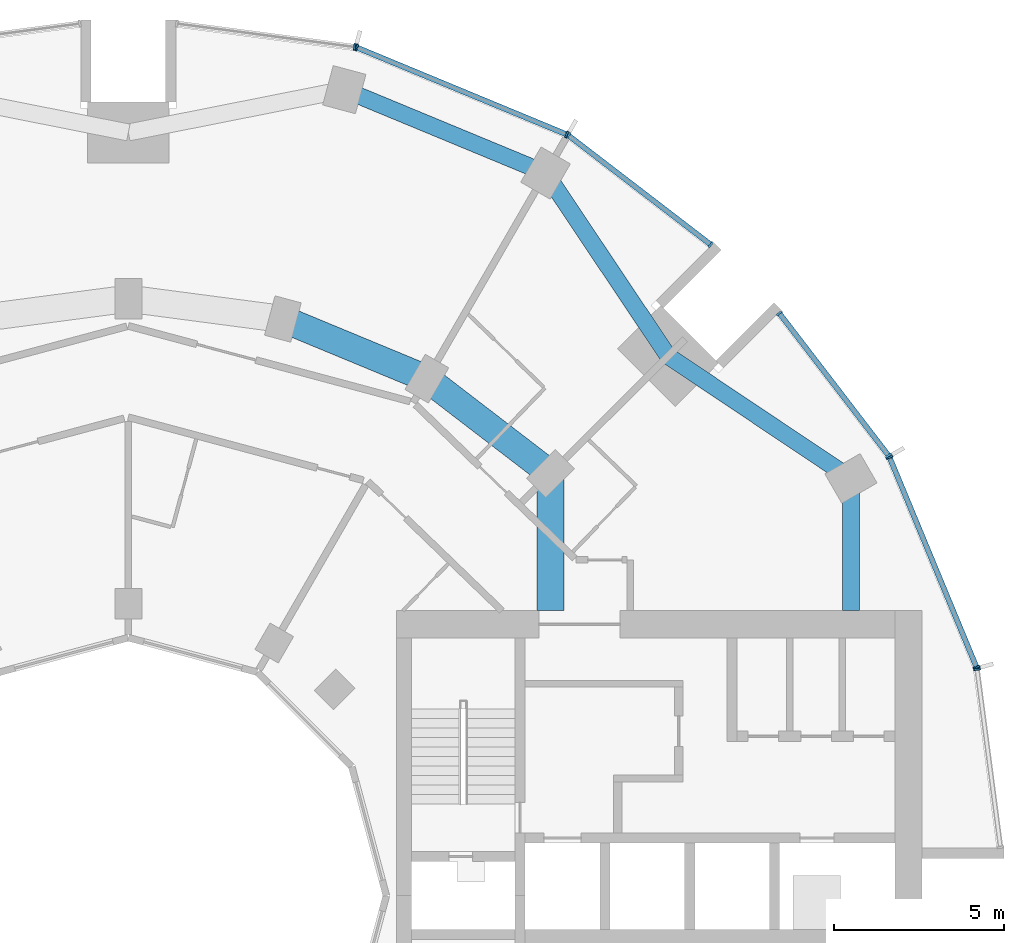
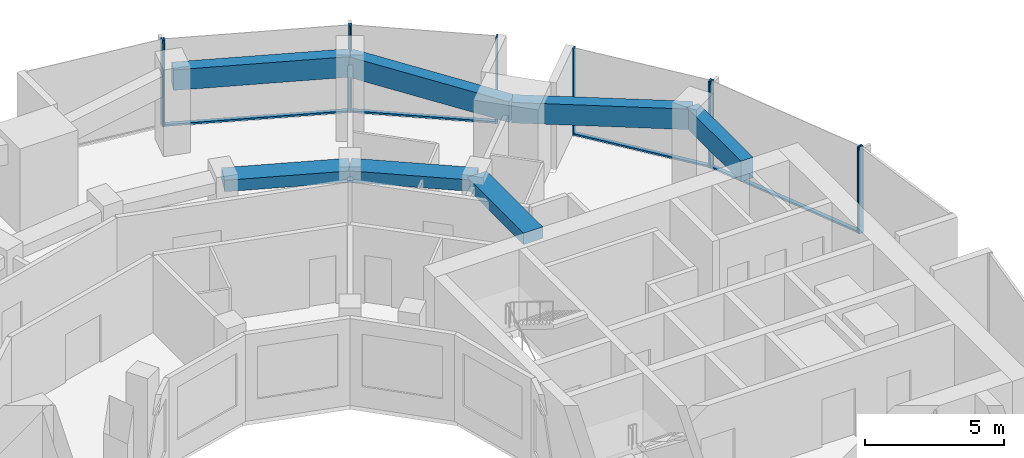
# One storey, part 6 of 15: 14 members, 7 beams, 6 elements without a shape of their own.
"""IFC4 building model written with IfcOpenShell, lengths in metres."""

from ifc_helpers import new_model, si_unit, direction, frame, origin, origin_2d, place, context, subcontext, project, spatial, rectangle, extrude, material, layer, layer_set, material_profile, profile_set, type_object, element, aggregate, save


model = new_model("IFC4")

# Units and contexts
model_context = context("Model", 3, precision=1e-05, world=origin(), true_north=direction((0.0, 1.0)))
body_context = subcontext(model_context, "Body", "Model", "MODEL_VIEW")
ifc_project = project(units=[si_unit("LENGTHUNIT", "METRE"), si_unit("AREAUNIT", "SQUARE_METRE"), si_unit("VOLUMEUNIT", "CUBIC_METRE"), si_unit("PLANEANGLEUNIT", "RADIAN"), si_unit("MASSUNIT", "GRAM", prefix="KILO")], contexts=[model_context])

# Site, building, storey
site_placement = place(None, origin())
site = spatial("IfcSite", under=ifc_project, at=site_placement, CompositionType="ELEMENT")
building_placement = place(site_placement, origin())
building = spatial("IfcBuilding", under=site, at=building_placement, Name="Torre Brocal", CompositionType="ELEMENT")
storey_placement = place(building_placement, frame((0.0, 0.0, 93.800048828125)))
storey = spatial("IfcBuildingStorey", under=building, at=storey_placement, Name="L21", CompositionType="ELEMENT", Elevation=93.800048828125)

# Curtain wall, members
ifc_material_1 = material(Name="Aluminium and glass", Category="aluminium")
ifc_layer_1 = layer(ifc_material_1, 0.199951171875)
ifc_layer_set_1 = layer_set([ifc_layer_1], Name="Aluminium and glass")
curtain_wall_type_1 = type_object("IfcCurtainWallType", Name="CW-1 CURTAIN WALL 3800 HIGH", PredefinedType="NOTDEFINED", material=ifc_layer_set_1)
curtain_wall_1_placement = place(storey_placement, origin())
curtain_wall_1 = element("IfcCurtainWall", 1, at=curtain_wall_1_placement, inside=storey, type_object=curtain_wall_type_1, Name="CW-1 RUN 2", PredefinedType="NOTDEFINED")
ifc_material_2 = material(Name="Aluminium, dark anodised", Category="aluminium")
ifc_material_profile_1 = material_profile(ifc_material_2, rectangle(XDim=0.199951171875, YDim=0.06005859375, at=origin_2d()), Name="CW-1 MULLION 60X200")
ifc_profile_set_1 = profile_set([ifc_material_profile_1], Name="Aluminium, dark anodised")
member_type_1 = type_object("IfcMemberType", Name="CW-1 MULLION 60X200", PredefinedType="MULLION", material=ifc_profile_set_1)
member_1_placement = place(storey_placement, frame((105.005126953125, 81.73095703125, 0.0), z_axis=(0.0, 0.0, 1.0), x_axis=(-0.923879532525, -0.382683432333, 0.0)))
member_1 = element("IfcMember", 2, at=member_1_placement, type_object=member_type_1, Name="CW1-1 mullion 1", PredefinedType="MULLION", context=body_context, shape_type="SweptSolid", body=[
    extrude(rectangle(XDim=0.199951171875, YDim=0.06005859375, at=origin_2d()), origin(), (0.0, 0.0, 1.0), 3.800048828125),
])
member_2_placement = place(storey_placement, frame((102.440673828125, 87.921875, 0.0), z_axis=(0.0, 0.0, 1.0), x_axis=(-0.923879532525, -0.382683432333, 0.0)))
member_2 = element("IfcMember", 3, at=member_2_placement, type_object=member_type_1, Name="CW1-1 mullion 2", PredefinedType="MULLION", context=body_context, shape_type="SweptSolid", body=[
    extrude(rectangle(XDim=0.199951171875, YDim=0.06005859375, at=origin_2d()), origin(), (0.0, 0.0, 1.0), 3.800048828125),
])

curtain_wall_2_placement = place(storey_placement, origin())
curtain_wall_2 = element("IfcCurtainWall", 4, at=curtain_wall_2_placement, inside=storey, type_object=curtain_wall_type_1, Name="CW-1 RUN 3", PredefinedType="NOTDEFINED")
member_3_placement = place(storey_placement, frame((102.4111328125, 87.973388671875, 0.0), z_axis=(0.0, 0.0, 1.0), x_axis=(-0.793353340259, -0.60876142905, 0.0)))
member_3 = element("IfcMember", 5, at=member_3_placement, type_object=member_type_1, Name="CW1-1 mullion 1", PredefinedType="MULLION", context=body_context, shape_type="SweptSolid", body=[
    extrude(rectangle(XDim=0.199951171875, YDim=0.06005859375, at=origin_2d()), origin(), (0.0, 0.0, 1.0), 3.800048828125),
])
member_4_placement = place(storey_placement, frame((99.19140625, 92.16943359375, 0.0), z_axis=(0.0, 0.0, 1.0), x_axis=(-0.793353340259, -0.60876142905, 0.0)))
member_4 = element("IfcMember", 6, at=member_4_placement, type_object=member_type_1, Name="CW1-1 mullion 2", PredefinedType="MULLION", context=body_context, shape_type="SweptSolid", body=[
    extrude(rectangle(XDim=0.199951171875, YDim=0.06005859375, at=origin_2d()), origin(), (0.0, 0.0, 1.0), 3.800048828125),
])

curtain_wall_3_placement = place(storey_placement, origin())
curtain_wall_3 = element("IfcCurtainWall", 7, at=curtain_wall_3_placement, inside=storey, type_object=curtain_wall_type_1, Name="CW-1 RUN 4", PredefinedType="NOTDEFINED")
member_5_placement = place(storey_placement, frame((97.16943359375, 94.19140625, 0.0), z_axis=(0.0, 0.0, 1.0), x_axis=(-0.60876142905, -0.793353340259, 0.0)))
member_5 = element("IfcMember", 8, at=member_5_placement, type_object=member_type_1, Name="CW1-1 mullion 1", PredefinedType="MULLION", context=body_context, shape_type="SweptSolid", body=[
    extrude(rectangle(XDim=0.199951171875, YDim=0.06005859375, at=origin_2d()), origin(), (0.0, 0.0, 1.0), 3.800048828125),
])
member_6_placement = place(storey_placement, frame((92.973388671875, 97.4111328125, 0.0), z_axis=(0.0, 0.0, 1.0), x_axis=(-0.60876142905, -0.793353340259, 0.0)))
member_6 = element("IfcMember", 9, at=member_6_placement, type_object=member_type_1, Name="CW1-1 mullion 2", PredefinedType="MULLION", context=body_context, shape_type="SweptSolid", body=[
    extrude(rectangle(XDim=0.199951171875, YDim=0.06005859375, at=origin_2d()), origin(), (0.0, 0.0, 1.0), 3.800048828125),
])

curtain_wall_4_placement = place(storey_placement, origin())
curtain_wall_4 = element("IfcCurtainWall", 10, at=curtain_wall_4_placement, inside=storey, type_object=curtain_wall_type_1, Name="CW-1 RUN 5", PredefinedType="NOTDEFINED")
member_7_placement = place(storey_placement, frame((92.921875, 97.440673828125, 0.0), z_axis=(0.0, 0.0, 1.0), x_axis=(-0.382683432333, -0.923879532525, 0.0)))
member_7 = element("IfcMember", 11, at=member_7_placement, type_object=member_type_1, Name="CW1-1 mullion 1", PredefinedType="MULLION", context=body_context, shape_type="SweptSolid", body=[
    extrude(rectangle(XDim=0.199951171875, YDim=0.06005859375, at=origin_2d()), origin(), (0.0, 0.0, 1.0), 3.800048828125),
])
member_8_placement = place(storey_placement, frame((86.73095703125, 100.005126953125, 0.0), z_axis=(0.0, 0.0, 1.0), x_axis=(-0.382683432333, -0.923879532525, 0.0)))
member_8 = element("IfcMember", 12, at=member_8_placement, type_object=member_type_1, Name="CW1-1 mullion 2", PredefinedType="MULLION", context=body_context, shape_type="SweptSolid", body=[
    extrude(rectangle(XDim=0.199951171875, YDim=0.06005859375, at=origin_2d()), origin(), (0.0, 0.0, 1.0), 3.800048828125),
])

# Curtain wall, member
curtain_wall_5_placement = place(storey_placement, origin())
curtain_wall_5 = element("IfcCurtainWall", 13, at=curtain_wall_5_placement, inside=storey, type_object=curtain_wall_type_1, Name="CW-1 RUN 6", PredefinedType="NOTDEFINED")
member_9_placement = place(storey_placement, frame((86.67333984375, 100.0205078125, 0.0), z_axis=(0.0, 0.0, 1.0), x_axis=(-0.13052619222, -0.991444861374, 0.0)))
member_9 = element("IfcMember", 14, at=member_9_placement, type_object=member_type_1, Name="CW1-1 mullion 1", PredefinedType="MULLION", context=body_context, shape_type="SweptSolid", body=[
    extrude(rectangle(XDim=0.199951171875, YDim=0.06005859375, at=origin_2d()), origin(), (0.0, 0.0, 1.0), 3.800048828125),
])
aggregate(curtain_wall_5, [member_9])

# Member
ifc_material_3 = material(Name="Aluminium, dark anodised", Category="aluminium")
ifc_material_profile_2 = material_profile(ifc_material_3, rectangle(XDim=0.159912109375, YDim=0.080078125, at=origin_2d()), Name="CW-1 TRANSOM 160X80")
ifc_profile_set_2 = profile_set([ifc_material_profile_2], Name="Aluminium, dark anodised")
member_type_2 = type_object("IfcMemberType", Name="CW-1 TRANSOM 160X80", PredefinedType="USERDEFINED", material=ifc_profile_set_2)
member_10_placement = place(storey_placement, frame((104.99365234375, 81.758544921875, 0.0400390625), z_axis=(-0.38266457234, 0.923887344364, 0.0), x_axis=(-0.923887344364, -0.38266457234, 0.0)))
member_10 = element("IfcMember", 15, at=member_10_placement, type_object=member_type_2, Name="CW1-1 transom 1.1", ObjectType="TRANSOM", PredefinedType="USERDEFINED", context=body_context, shape_type="SweptSolid", body=[
    extrude(rectangle(XDim=0.159912109375, YDim=0.080078125, at=origin_2d()), origin(), (0.0, 0.0, 1.0), 6.640869140625),
])

aggregate(curtain_wall_1, [member_1, member_2, member_10])

member_11_placement = place(storey_placement, frame((102.392822265625, 87.9970703125, 0.0400390625), z_axis=(-0.60874908096, 0.79336281513, 0.0), x_axis=(-0.79336281513, -0.60874908096, 0.0)))
member_11 = element("IfcMember", 16, at=member_11_placement, type_object=member_type_2, Name="CW1-1 transom 1.1", ObjectType="TRANSOM", PredefinedType="USERDEFINED", context=body_context, shape_type="SweptSolid", body=[
    extrude(rectangle(XDim=0.159912109375, YDim=0.080078125, at=origin_2d()), origin(), (0.0, 0.0, 1.0), 5.22900390625),
])

aggregate(curtain_wall_2, [member_3, member_4, member_11])

member_12_placement = place(storey_placement, frame((97.1455078125, 94.209716796875, 0.0400390625), z_axis=(-0.79336281513, 0.60874908096, 0.0), x_axis=(-0.60874908096, -0.79336281513, 0.0)))
member_12 = element("IfcMember", 17, at=member_12_placement, type_object=member_type_2, Name="CW1-1 transom 1.1", ObjectType="TRANSOM", PredefinedType="USERDEFINED", context=body_context, shape_type="SweptSolid", body=[
    extrude(rectangle(XDim=0.159912109375, YDim=0.080078125, at=origin_2d()), origin(), (0.0, 0.0, 1.0), 5.22900390625),
])

aggregate(curtain_wall_3, [member_5, member_6, member_12])

member_13_placement = place(storey_placement, frame((92.89404296875, 97.452392578125, 0.0400390625), z_axis=(-0.923887344364, 0.38266457234, 0.0), x_axis=(-0.38266457234, -0.923887344364, 0.0)))
member_13 = element("IfcMember", 18, at=member_13_placement, type_object=member_type_2, Name="CW1-1 transom 1.1", ObjectType="TRANSOM", PredefinedType="USERDEFINED", context=body_context, shape_type="SweptSolid", body=[
    extrude(rectangle(XDim=0.159912109375, YDim=0.080078125, at=origin_2d()), origin(), (0.0, 0.0, 1.0), 6.640869140625),
])

aggregate(curtain_wall_4, [member_7, member_8, member_13])

# Curtain wall, member
ifc_material_4 = material(Name="Aluminium and glass", Category="aluminium")
ifc_layer_2 = layer(ifc_material_4, 0.199951171875)
ifc_layer_set_2 = layer_set([ifc_layer_2], Name="Aluminium and glass")
curtain_wall_type_2 = type_object("IfcCurtainWallType", Name="CW-1B CURTAIN WALL 3800 HIGH", PredefinedType="NOTDEFINED", material=ifc_layer_set_2)
curtain_wall_6_placement = place(storey_placement, origin())
curtain_wall_6 = element("IfcCurtainWall", 19, at=curtain_wall_6_placement, inside=storey, type_object=curtain_wall_type_2, Name="CW-1B RUN 1", PredefinedType="NOTDEFINED")
ifc_material_5 = material(Name="Aluminium, dark anodised", Category="aluminium")
ifc_material_profile_3 = material_profile(ifc_material_5, rectangle(XDim=0.199951171875, YDim=0.06005859375, at=origin_2d()), Name="CW-1B MULLION 60X200")
ifc_profile_set_3 = profile_set([ifc_material_profile_3], Name="Aluminium, dark anodised")
member_type_3 = type_object("IfcMemberType", Name="CW-1B MULLION 60X200", PredefinedType="MULLION", material=ifc_profile_set_3)
member_14_placement = place(storey_placement, frame((105.0205078125, 81.67333984375, 0.0), z_axis=(0.0, 0.0, 1.0), x_axis=(-0.991444861374, -0.13052619222, 0.0)))
member_14 = element("IfcMember", 20, at=member_14_placement, type_object=member_type_3, Name="CW1B-1 mullion 2", PredefinedType="MULLION", context=body_context, shape_type="SweptSolid", body=[
    extrude(rectangle(XDim=0.199951171875, YDim=0.06005859375, at=origin_2d()), origin(), (0.0, 0.0, 1.0), 3.800048828125),
])
aggregate(curtain_wall_6, [member_14])

# Beams
ifc_material_6 = material(Name="Concrete C50", Category="concrete")
ifc_material_profile_4 = material_profile(ifc_material_6, rectangle(XDim=0.800048828125, YDim=0.5, at=origin_2d()), Name="RC 800X500")
ifc_profile_set_4 = profile_set([ifc_material_profile_4], Name="Concrete C50")
beam_type_1 = type_object("IfcBeamType", Name="RC BEAM 800X500 C50 TOP 3480", PredefinedType="BEAM", material=ifc_profile_set_4)
beam_1_placement = place(storey_placement, frame((92.445068359375, 87.445068359375, 3.22998046875), z_axis=(-0.793358265959, 0.6087550097, 0.0), x_axis=(-0.6087550097, -0.793358265959, 0.0)))
element("IfcBeam", 21, at=beam_1_placement, inside=storey, type_object=beam_type_1, Name="Beam BT-19", PredefinedType="BEAM", context=body_context, shape_type="SweptSolid", body=[
    extrude(rectangle(XDim=0.800048828125, YDim=0.5, at=origin_2d()), origin(), (0.0, 0.0, 1.0), 4.594482421875),
])
beam_2_placement = place(storey_placement, frame((88.800048828125, 90.241943359375, 3.22998046875), z_axis=(-0.923878240166, 0.382686552348, 0.0), x_axis=(-0.382686552348, -0.923878240166, 0.0)))
element("IfcBeam", 22, at=beam_2_placement, inside=storey, type_object=beam_type_1, Name="Beam BT-19", PredefinedType="BEAM", context=body_context, shape_type="SweptSolid", body=[
    extrude(rectangle(XDim=0.800048828125, YDim=0.5, at=origin_2d()), origin(), (0.0, 0.0, 1.0), 4.5947265625),
])
beam_3_placement = place(storey_placement, frame((92.445068359375, 87.445068359375, 3.22998046875), z_axis=(0.0, -1.0, 0.0), x_axis=(1.0, 0.0, 0.0)))
element("IfcBeam", 23, at=beam_3_placement, inside=storey, type_object=beam_type_1, Name="Beam BT-19", PredefinedType="BEAM", context=body_context, shape_type="SweptSolid", body=[
    extrude(rectangle(XDim=0.800048828125, YDim=0.5, at=origin_2d()), origin(), (0.0, 0.0, 1.0), 4.045166015625),
])
ifc_material_7 = material(Name="Concrete C50", Category="concrete")
ifc_material_profile_5 = material_profile(ifc_material_7, rectangle(XDim=0.5, YDim=0.89990234375, at=origin_2d()), Name="RC 500X900")
ifc_profile_set_5 = profile_set([ifc_material_profile_5], Name="Concrete C50")
beam_type_2 = type_object("IfcBeamType", Name="RC SPANDREL BEAM 500X900 C50 TOP 3480", PredefinedType="SPANDREL", material=ifc_profile_set_5)
for number, where, z_axis, x_axis, name in (
    (24, (101.30419921875, 87.300048828125, 3.030029296875), (-0.831076844476, 0.556157602282, 0.0), (-0.556157602282, -0.831076844476, 0.0), "Beam BT-20"),
    (25, (95.909912109375, 90.909912109375, 3.030029296875), (-0.556157602282, 0.831076844476, 0.0), (-0.831076844476, -0.556157602282, 0.0), "Beam BT-20"),
):
    element("IfcBeam", number, at=place(storey_placement, frame(where, z_axis=z_axis, x_axis=x_axis)), inside=storey, type_object=beam_type_2, Name=name, PredefinedType="SPANDREL", context=body_context, shape_type="SweptSolid", body=[
        extrude(rectangle(XDim=0.5, YDim=0.89990234375, at=origin_2d()), origin(), (0.0, 0.0, 1.0), 6.49072265625),
    ])
beam_4_placement = place(storey_placement, frame((92.300048828125, 96.30419921875, 3.030029296875), z_axis=(-0.923882462513, 0.382676358639, 0.0), x_axis=(-0.382676358639, -0.923882462513, 0.0)))
element("IfcBeam", 26, at=beam_4_placement, inside=storey, type_object=beam_type_2, Name="Beam BT-20", PredefinedType="SPANDREL", context=body_context, shape_type="SweptSolid", body=[
    extrude(rectangle(XDim=0.5, YDim=0.89990234375, at=origin_2d()), origin(), (0.0, 0.0, 1.0), 6.421875),
])
beam_5_placement = place(storey_placement, frame((101.30419921875, 87.300048828125, 3.030029296875), z_axis=(0.0, -1.0, 0.0), x_axis=(1.0, 0.0, 0.0)))
element("IfcBeam", 27, at=beam_5_placement, inside=storey, type_object=beam_type_2, Name="Beam BT-20", PredefinedType="SPANDREL", context=body_context, shape_type="SweptSolid", body=[
    extrude(rectangle(XDim=0.5, YDim=0.89990234375, at=origin_2d()), origin(), (0.0, 0.0, 1.0), 3.900146484375),
])

save(model, "model.ifc")
